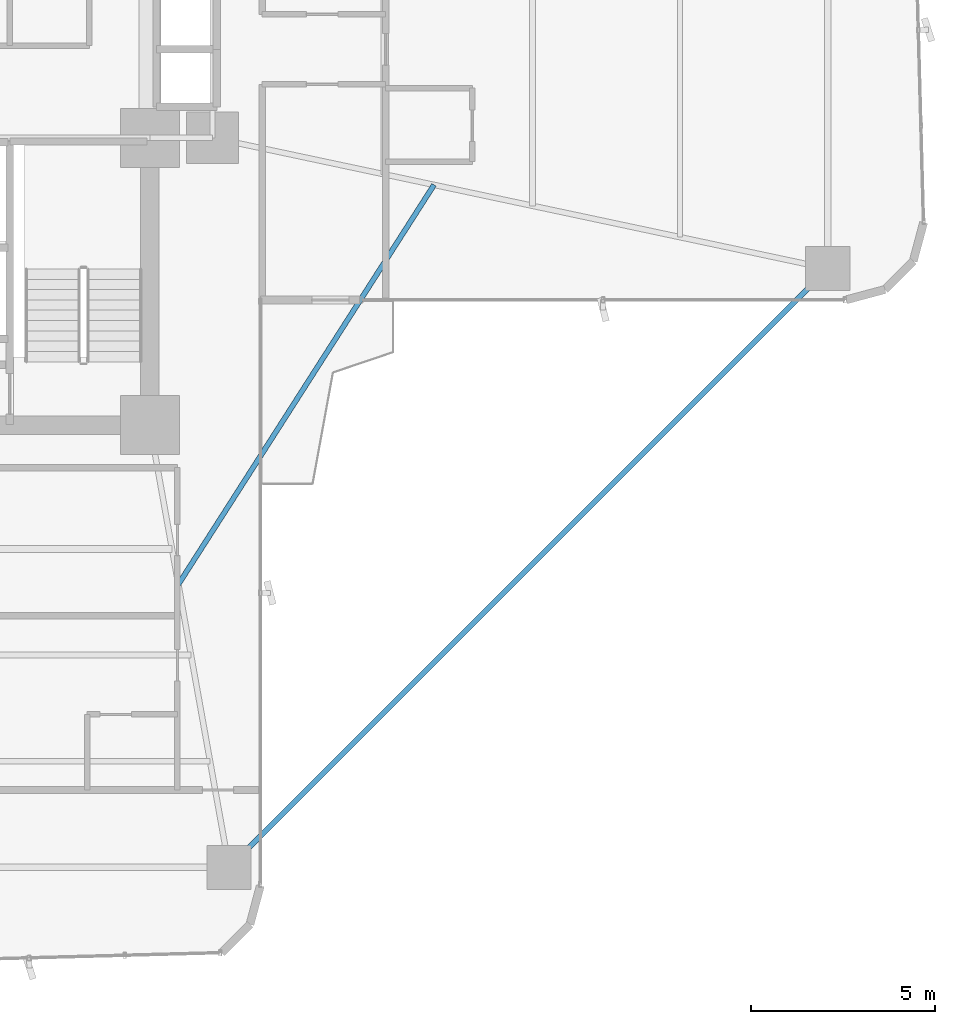
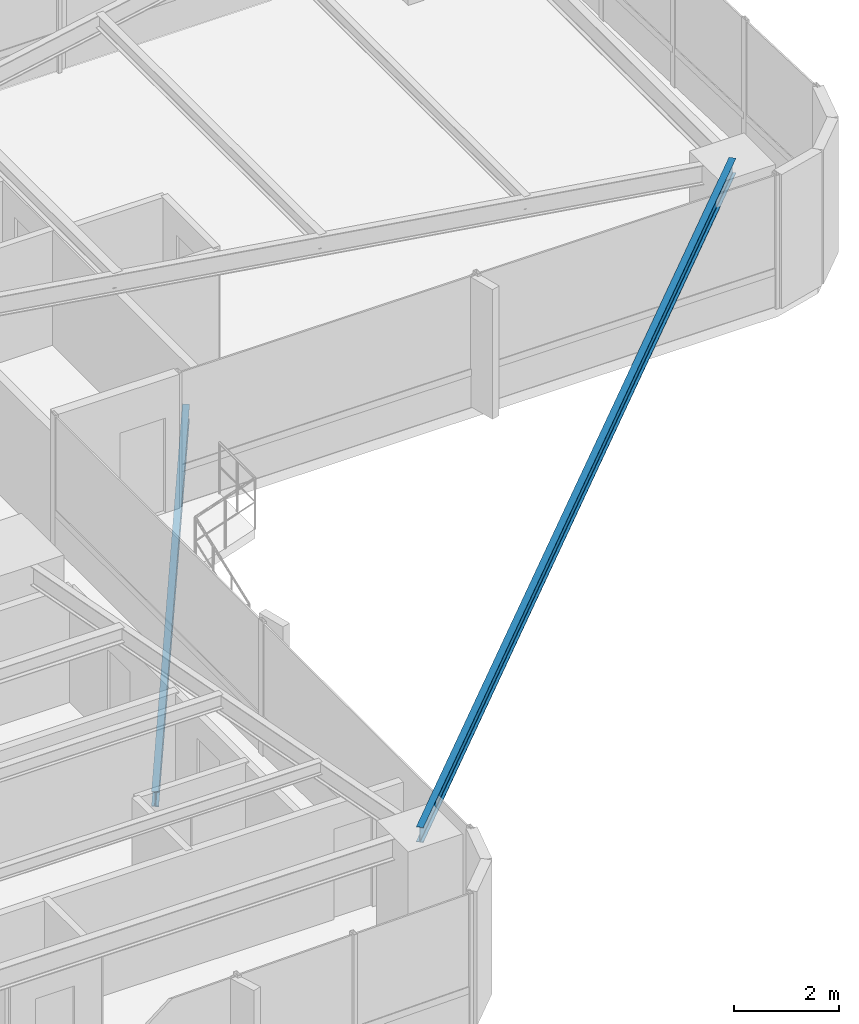
# One storey, part 13 of 25: 2 beams.
"""IFC4 building model written with IfcOpenShell, lengths in metres."""

from ifc_helpers import new_model, si_unit, direction, frame, origin, origin_2d, place, context, subcontext, project, spatial, i_section, extrude, source, transform, mapped, material, material_profile, profile_set, type_object, element, save


model = new_model("IFC4")

# Units and contexts
model_context = context("Model", 3, precision=1e-05, world=origin(), true_north=direction((0.0, 1.0)))
body_context = subcontext(model_context, "Body", "Model", "MODEL_VIEW")
ifc_project = project(units=[si_unit("LENGTHUNIT", "METRE"), si_unit("AREAUNIT", "SQUARE_METRE"), si_unit("VOLUMEUNIT", "CUBIC_METRE"), si_unit("PLANEANGLEUNIT", "RADIAN"), si_unit("MASSUNIT", "GRAM", prefix="KILO")], contexts=[model_context])

# Site, building, storey
site_placement = place(None, origin())
site = spatial("IfcSite", under=ifc_project, at=site_placement, CompositionType="ELEMENT")
building_placement = place(site_placement, origin())
building = spatial("IfcBuilding", under=site, at=building_placement, Name="Sahyath Konkavel Grand Hotel", CompositionType="ELEMENT")
storey_placement = place(building_placement, frame((0.0, 0.0, 54.39990234375)))
storey = spatial("IfcBuildingStorey", under=building, at=storey_placement, Name="L14", CompositionType="ELEMENT", Elevation=54.39990234375)

# Beams
ifc_material = material(Name="Steel E350", Category="steel")
ifc_material_profile_1 = material_profile(ifc_material, i_section(OverallWidth=0.139892578125, OverallDepth=0.35009765625, WebThickness=0.008056640625, FlangeThickness=0.01416015625, FilletRadius=0.013916015625, at=origin_2d()), Name="ISMB 350")
ifc_profile_set_1 = profile_set([ifc_material_profile_1], Name="Steel E350")
beam_type_1 = type_object("IfcBeamType", Name="BM-ISMB350", PredefinedType="BEAM", material=ifc_profile_set_1)
shared_shape_1 = source(origin(), body_context, "Body", "SweptSolid", [
    extrude(i_section(OverallWidth=0.139892578125, OverallDepth=0.35009765625, WebThickness=0.008056640625, FlangeThickness=0.01416015625, FilletRadius=0.013916015625, at=origin_2d()), origin(), (0.0, 0.0, 1.0), 22.98095703125),
])
beam_1_placement = place(storey_placement, frame((22.199951171875, -5.949951171875, 2.93505859375), z_axis=(-0.707106781187, -0.707106781187, 0.0), x_axis=(0.707106781187, -0.707106781187, 0.0)))
element("IfcBeam", 1, at=beam_1_placement, inside=storey, type_object=beam_type_1, Name="L14 Re-Entrant Tie Beam SE", PredefinedType="BEAM", context=body_context, shape_type="MappedRepresentation", body=[
    mapped(shared_shape_1, transform((0.0, 0.0, 0.0), scale=1.0)),
])
ifc_material_profile_2 = material_profile(ifc_material, i_section(OverallWidth=0.139892578125, OverallDepth=0.35009765625, WebThickness=0.008056640625, FlangeThickness=0.01416015625, FilletRadius=0.013916015625, at=origin_2d()), Name="ISMB 350")
ifc_profile_set_2 = profile_set([ifc_material_profile_2], Name="Steel E350")
beam_type_2 = type_object("IfcBeamType", Name="BM-BALC-CANT", PredefinedType="BEAM", material=ifc_profile_set_2)
shared_shape_2 = source(origin(), body_context, "Body", "SweptSolid", [
    extrude(i_section(OverallWidth=0.139892578125, OverallDepth=0.35009765625, WebThickness=0.008056640625, FlangeThickness=0.01416015625, FilletRadius=0.013916015625, at=origin_2d()), origin(), (0.0, 0.0, 1.0), 12.871826171875),
])
beam_2_placement = place(storey_placement, frame((4.573974609375, -14.52001953125, -0.414794921875), z_axis=(0.539003102535, 0.842303778608, 0.0), x_axis=(-0.842303778608, 0.539003102535, 0.0)))
element("IfcBeam", 2, at=beam_2_placement, inside=storey, type_object=beam_type_2, Name="L14 Balcony Cantilever Support Beam SE", PredefinedType="BEAM", context=body_context, shape_type="MappedRepresentation", body=[
    mapped(shared_shape_2, transform((0.0, 0.0, 0.0), scale=1.0)),
])

save(model, "model.ifc")
